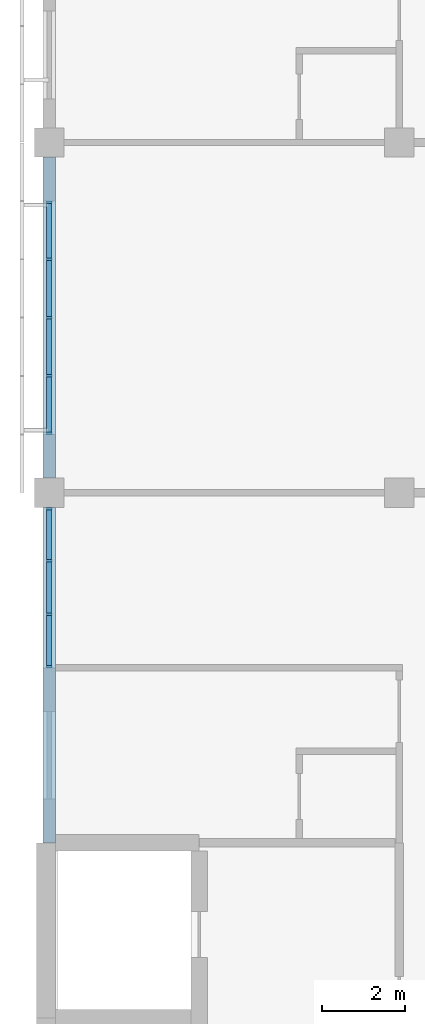
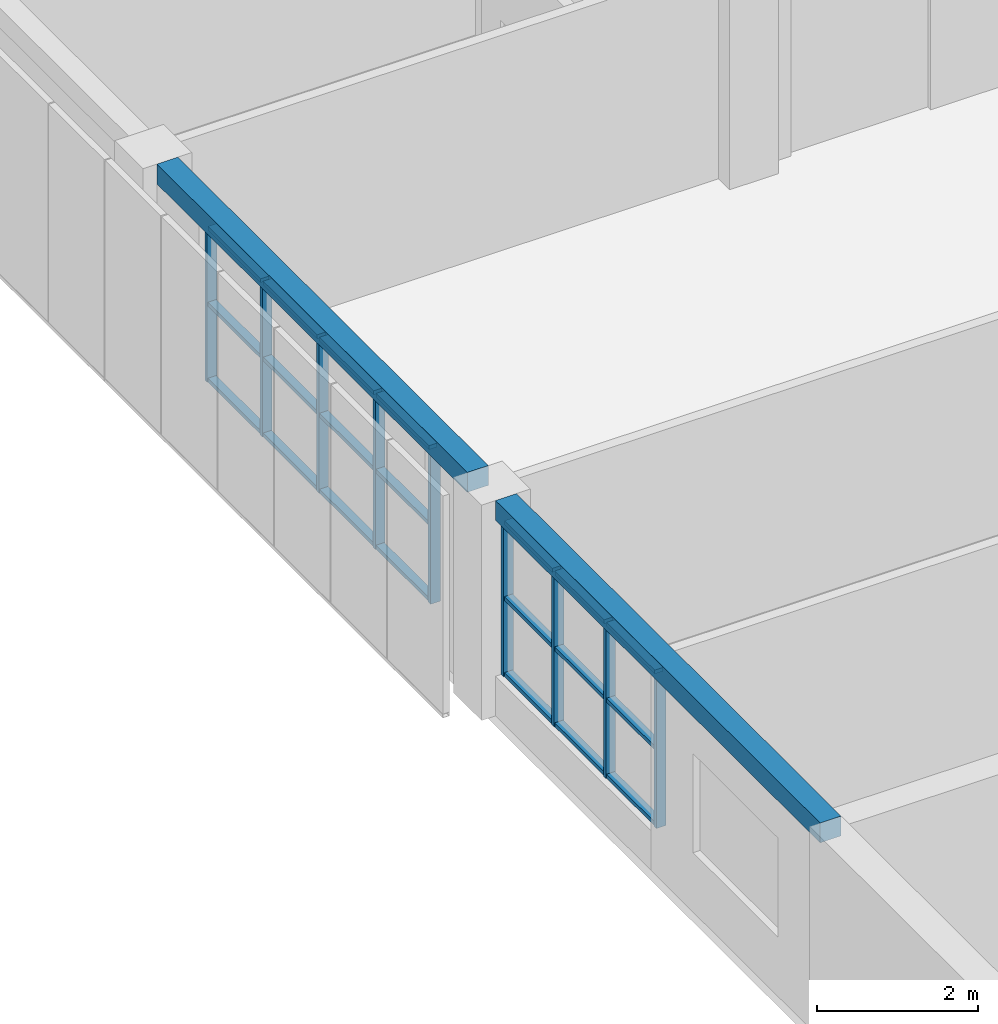
# One storey, part 15 of 61: 30 members, 2 beams, 2 elements without a shape of their own.
"""IFC4 building model written with IfcOpenShell, lengths in metres."""

from ifc_helpers import new_model, si_unit, direction, frame, origin, origin_2d, place, context, subcontext, project, spatial, rectangle, extrude, material, material_profile, profile_set, type_object, element, aggregate, save


model = new_model("IFC4")

# Units and contexts
model_context = context("Model", 3, precision=1e-05, world=origin(), true_north=direction((0.0, 1.0)))
body_context = subcontext(model_context, "Body", "Model", "MODEL_VIEW")
ifc_project = project(units=[si_unit("LENGTHUNIT", "METRE"), si_unit("AREAUNIT", "SQUARE_METRE"), si_unit("VOLUMEUNIT", "CUBIC_METRE"), si_unit("PLANEANGLEUNIT", "RADIAN"), si_unit("MASSUNIT", "GRAM", prefix="KILO")], contexts=[model_context])

# Site, building, storey
site_placement = place(None, origin())
site = spatial("IfcSite", under=ifc_project, at=site_placement, CompositionType="ELEMENT")
building_placement = place(site_placement, origin())
building = spatial("IfcBuilding", under=site, at=building_placement, Name="Yavir Park General Hospital", CompositionType="ELEMENT")
storey_placement = place(building_placement, frame((0.0, 0.0, 15.300048828125)))
storey = spatial("IfcBuildingStorey", under=building, at=storey_placement, Name="L03", CompositionType="ELEMENT", Elevation=15.300048828125)

# Curtain wall, members
ifc_material_1 = material(Name="Aluminium curtain wall frame with insulated glazing", Category="aluminium")
curtain_wall_type = type_object("IfcCurtainWallType", Name="Day room pocket glazing, ward floors, 2360 high, 1400 module", PredefinedType="NOTDEFINED", material=ifc_material_1)
curtain_wall_1_placement = place(storey_placement, origin())
curtain_wall_1 = element("IfcCurtainWall", 1, at=curtain_wall_1_placement, inside=storey, type_object=curtain_wall_type, Name="CW6 L03-019", PredefinedType="NOTDEFINED")
ifc_material_2 = material(Name="Aluminium", Category="aluminium")
ifc_material_profile_1 = material_profile(ifc_material_2, rectangle(XDim=0.139892578125, YDim=0.06005859375, at=origin_2d()), Name="AL 60x140")
ifc_profile_set_1 = profile_set([ifc_material_profile_1], Name="Aluminium")
member_type_1 = type_object("IfcMemberType", Name="Day room pocket glazing, ward floors, 2360 high mullion 60 x 140", PredefinedType="MULLION", material=ifc_profile_set_1)
member_1_placement = place(storey_placement, frame((0.0, 79.830078125, 0.599853515625), z_axis=(0.0, 0.0, 1.0), x_axis=(-1.0, 0.0, 0.0)))
member_1 = element("IfcMember", 2, at=member_1_placement, type_object=member_type_1, Name="CW6 mullion 1", PredefinedType="MULLION", context=body_context, shape_type="SweptSolid", body=[
    extrude(rectangle(XDim=0.139892578125, YDim=0.06005859375, at=origin_2d()), origin(), (0.0, 0.0, 1.0), 2.360107421875),
])
member_2_placement = place(storey_placement, frame((0.0, 81.083251953125, 0.599853515625), z_axis=(0.0, 0.0, 1.0), x_axis=(-1.0, 0.0, 0.0)))
member_2 = element("IfcMember", 3, at=member_2_placement, type_object=member_type_1, Name="CW6 mullion 2", PredefinedType="MULLION", context=body_context, shape_type="SweptSolid", body=[
    extrude(rectangle(XDim=0.139892578125, YDim=0.06005859375, at=origin_2d()), origin(), (0.0, 0.0, 1.0), 2.360107421875),
])
member_3_placement = place(storey_placement, frame((0.0, 82.36669921875, 0.599853515625), z_axis=(0.0, 0.0, 1.0), x_axis=(-1.0, 0.0, 0.0)))
member_3 = element("IfcMember", 4, at=member_3_placement, type_object=member_type_1, Name="CW6 mullion 3", PredefinedType="MULLION", context=body_context, shape_type="SweptSolid", body=[
    extrude(rectangle(XDim=0.139892578125, YDim=0.06005859375, at=origin_2d()), origin(), (0.0, 0.0, 1.0), 2.360107421875),
])
member_4_placement = place(storey_placement, frame((0.0, 83.6201171875, 0.599853515625), z_axis=(0.0, 0.0, 1.0), x_axis=(-1.0, 0.0, 0.0)))
member_4 = element("IfcMember", 5, at=member_4_placement, type_object=member_type_1, Name="CW6 mullion 4", PredefinedType="MULLION", context=body_context, shape_type="SweptSolid", body=[
    extrude(rectangle(XDim=0.139892578125, YDim=0.06005859375, at=origin_2d()), origin(), (0.0, 0.0, 1.0), 2.360107421875),
])

curtain_wall_2_placement = place(storey_placement, origin())
curtain_wall_2 = element("IfcCurtainWall", 6, at=curtain_wall_2_placement, inside=storey, type_object=curtain_wall_type, Name="CW6 L03-020", PredefinedType="NOTDEFINED")
member_5_placement = place(storey_placement, frame((0.0, 85.429931640625, 0.599853515625), z_axis=(0.0, 0.0, 1.0), x_axis=(-1.0, 0.0, 0.0)))
member_5 = element("IfcMember", 7, at=member_5_placement, type_object=member_type_1, Name="CW6 mullion 1", PredefinedType="MULLION", context=body_context, shape_type="SweptSolid", body=[
    extrude(rectangle(XDim=0.139892578125, YDim=0.06005859375, at=origin_2d()), origin(), (0.0, 0.0, 1.0), 2.360107421875),
])
member_6_placement = place(storey_placement, frame((0.0, 86.800048828125, 0.599853515625), z_axis=(0.0, 0.0, 1.0), x_axis=(-1.0, 0.0, 0.0)))
member_6 = element("IfcMember", 8, at=member_6_placement, type_object=member_type_1, Name="CW6 mullion 2", PredefinedType="MULLION", context=body_context, shape_type="SweptSolid", body=[
    extrude(rectangle(XDim=0.139892578125, YDim=0.06005859375, at=origin_2d()), origin(), (0.0, 0.0, 1.0), 2.360107421875),
])
member_7_placement = place(storey_placement, frame((0.0, 88.199951171875, 0.599853515625), z_axis=(0.0, 0.0, 1.0), x_axis=(-1.0, 0.0, 0.0)))
member_7 = element("IfcMember", 9, at=member_7_placement, type_object=member_type_1, Name="CW6 mullion 3", PredefinedType="MULLION", context=body_context, shape_type="SweptSolid", body=[
    extrude(rectangle(XDim=0.139892578125, YDim=0.06005859375, at=origin_2d()), origin(), (0.0, 0.0, 1.0), 2.360107421875),
])
member_8_placement = place(storey_placement, frame((0.0, 89.60009765625, 0.599853515625), z_axis=(0.0, 0.0, 1.0), x_axis=(-1.0, 0.0, 0.0)))
member_8 = element("IfcMember", 10, at=member_8_placement, type_object=member_type_1, Name="CW6 mullion 4", PredefinedType="MULLION", context=body_context, shape_type="SweptSolid", body=[
    extrude(rectangle(XDim=0.139892578125, YDim=0.06005859375, at=origin_2d()), origin(), (0.0, 0.0, 1.0), 2.360107421875),
])
member_9_placement = place(storey_placement, frame((0.0, 90.969970703125, 0.599853515625), z_axis=(0.0, 0.0, 1.0), x_axis=(-1.0, 0.0, 0.0)))
member_9 = element("IfcMember", 11, at=member_9_placement, type_object=member_type_1, Name="CW6 mullion 5", PredefinedType="MULLION", context=body_context, shape_type="SweptSolid", body=[
    extrude(rectangle(XDim=0.139892578125, YDim=0.06005859375, at=origin_2d()), origin(), (0.0, 0.0, 1.0), 2.360107421875),
])

# Member
ifc_material_3 = material(Name="Aluminium", Category="aluminium")
ifc_material_profile_2 = material_profile(ifc_material_3, rectangle(XDim=0.1201171875, YDim=0.06005859375, at=origin_2d()), Name="AL 120x60")
ifc_profile_set_2 = profile_set([ifc_material_profile_2], Name="Aluminium")
member_type_2 = type_object("IfcMemberType", Name="Day room pocket glazing, ward floors, 2360 high transom 60 x 120", PredefinedType="MULLION", material=ifc_profile_set_2)
member_10_placement = place(storey_placement, frame((0.0, 79.860107421875, 0.6298828125), z_axis=(0.0, 1.0, 0.0), x_axis=(-1.0, 0.0, 0.0)))
member_10 = element("IfcMember", 12, at=member_10_placement, type_object=member_type_2, Name="CW6 transom 1.1", PredefinedType="MULLION", context=body_context, shape_type="SweptSolid", body=[
    extrude(rectangle(XDim=0.1201171875, YDim=0.06005859375, at=origin_2d()), origin(), (0.0, 0.0, 1.0), 1.193115234375),
])

member_11_placement = place(storey_placement, frame((0.0, 79.860107421875, 1.780029296875), z_axis=(0.0, 1.0, 0.0), x_axis=(-1.0, 0.0, 0.0)))
member_11 = element("IfcMember", 13, at=member_11_placement, type_object=member_type_2, Name="CW6 transom 1.2", PredefinedType="MULLION", context=body_context, shape_type="SweptSolid", body=[
    extrude(rectangle(XDim=0.1201171875, YDim=0.06005859375, at=origin_2d()), origin(), (0.0, 0.0, 1.0), 1.193115234375),
])

member_12_placement = place(storey_placement, frame((0.0, 79.860107421875, 2.929931640625), z_axis=(0.0, 1.0, 0.0), x_axis=(-1.0, 0.0, 0.0)))
member_12 = element("IfcMember", 14, at=member_12_placement, type_object=member_type_2, Name="CW6 transom 1.3", PredefinedType="MULLION", context=body_context, shape_type="SweptSolid", body=[
    extrude(rectangle(XDim=0.1201171875, YDim=0.06005859375, at=origin_2d()), origin(), (0.0, 0.0, 1.0), 1.193115234375),
])

member_13_placement = place(storey_placement, frame((0.0, 81.11328125, 0.6298828125), z_axis=(0.0, 1.0, 0.0), x_axis=(-1.0, 0.0, 0.0)))
member_13 = element("IfcMember", 15, at=member_13_placement, type_object=member_type_2, Name="CW6 transom 2.1", PredefinedType="MULLION", context=body_context, shape_type="SweptSolid", body=[
    extrude(rectangle(XDim=0.1201171875, YDim=0.06005859375, at=origin_2d()), origin(), (0.0, 0.0, 1.0), 1.223388671875),
])

member_14_placement = place(storey_placement, frame((0.0, 81.11328125, 1.780029296875), z_axis=(0.0, 1.0, 0.0), x_axis=(-1.0, 0.0, 0.0)))
member_14 = element("IfcMember", 16, at=member_14_placement, type_object=member_type_2, Name="CW6 transom 2.2", PredefinedType="MULLION", context=body_context, shape_type="SweptSolid", body=[
    extrude(rectangle(XDim=0.1201171875, YDim=0.06005859375, at=origin_2d()), origin(), (0.0, 0.0, 1.0), 1.223388671875),
])

member_15_placement = place(storey_placement, frame((0.0, 81.11328125, 2.929931640625), z_axis=(0.0, 1.0, 0.0), x_axis=(-1.0, 0.0, 0.0)))
member_15 = element("IfcMember", 17, at=member_15_placement, type_object=member_type_2, Name="CW6 transom 2.3", PredefinedType="MULLION", context=body_context, shape_type="SweptSolid", body=[
    extrude(rectangle(XDim=0.1201171875, YDim=0.06005859375, at=origin_2d()), origin(), (0.0, 0.0, 1.0), 1.223388671875),
])

member_16_placement = place(storey_placement, frame((0.0, 82.396728515625, 0.6298828125), z_axis=(0.0, 1.0, 0.0), x_axis=(-1.0, 0.0, 0.0)))
member_16 = element("IfcMember", 18, at=member_16_placement, type_object=member_type_2, Name="CW6 transom 3.1", PredefinedType="MULLION", context=body_context, shape_type="SweptSolid", body=[
    extrude(rectangle(XDim=0.1201171875, YDim=0.06005859375, at=origin_2d()), origin(), (0.0, 0.0, 1.0), 1.193359375),
])

member_17_placement = place(storey_placement, frame((0.0, 82.396728515625, 1.780029296875), z_axis=(0.0, 1.0, 0.0), x_axis=(-1.0, 0.0, 0.0)))
member_17 = element("IfcMember", 19, at=member_17_placement, type_object=member_type_2, Name="CW6 transom 3.2", PredefinedType="MULLION", context=body_context, shape_type="SweptSolid", body=[
    extrude(rectangle(XDim=0.1201171875, YDim=0.06005859375, at=origin_2d()), origin(), (0.0, 0.0, 1.0), 1.193359375),
])

member_18_placement = place(storey_placement, frame((0.0, 82.396728515625, 2.929931640625), z_axis=(0.0, 1.0, 0.0), x_axis=(-1.0, 0.0, 0.0)))
member_18 = element("IfcMember", 20, at=member_18_placement, type_object=member_type_2, Name="CW6 transom 3.3", PredefinedType="MULLION", context=body_context, shape_type="SweptSolid", body=[
    extrude(rectangle(XDim=0.1201171875, YDim=0.06005859375, at=origin_2d()), origin(), (0.0, 0.0, 1.0), 1.193359375),
])

aggregate(curtain_wall_1, [member_1, member_2, member_3, member_4, member_10, member_11, member_12, member_13, member_14, member_15, member_16, member_17, member_18])

member_19_placement = place(storey_placement, frame((0.0, 85.4599609375, 0.6298828125), z_axis=(0.0, 1.0, 0.0), x_axis=(-1.0, 0.0, 0.0)))
member_19 = element("IfcMember", 21, at=member_19_placement, type_object=member_type_2, Name="CW6 transom 1.1", PredefinedType="MULLION", context=body_context, shape_type="SweptSolid", body=[
    extrude(rectangle(XDim=0.1201171875, YDim=0.06005859375, at=origin_2d()), origin(), (0.0, 0.0, 1.0), 1.31005859375),
])

member_20_placement = place(storey_placement, frame((0.0, 85.4599609375, 1.780029296875), z_axis=(0.0, 1.0, 0.0), x_axis=(-1.0, 0.0, 0.0)))
member_20 = element("IfcMember", 22, at=member_20_placement, type_object=member_type_2, Name="CW6 transom 1.2", PredefinedType="MULLION", context=body_context, shape_type="SweptSolid", body=[
    extrude(rectangle(XDim=0.1201171875, YDim=0.06005859375, at=origin_2d()), origin(), (0.0, 0.0, 1.0), 1.31005859375),
])

member_21_placement = place(storey_placement, frame((0.0, 85.4599609375, 2.929931640625), z_axis=(0.0, 1.0, 0.0), x_axis=(-1.0, 0.0, 0.0)))
member_21 = element("IfcMember", 23, at=member_21_placement, type_object=member_type_2, Name="CW6 transom 1.3", PredefinedType="MULLION", context=body_context, shape_type="SweptSolid", body=[
    extrude(rectangle(XDim=0.1201171875, YDim=0.06005859375, at=origin_2d()), origin(), (0.0, 0.0, 1.0), 1.31005859375),
])

member_22_placement = place(storey_placement, frame((0.0, 86.830078125, 0.6298828125), z_axis=(0.0, 1.0, 0.0), x_axis=(-1.0, 0.0, 0.0)))
member_22 = element("IfcMember", 24, at=member_22_placement, type_object=member_type_2, Name="CW6 transom 2.1", PredefinedType="MULLION", context=body_context, shape_type="SweptSolid", body=[
    extrude(rectangle(XDim=0.1201171875, YDim=0.06005859375, at=origin_2d()), origin(), (0.0, 0.0, 1.0), 1.33984375),
])

member_23_placement = place(storey_placement, frame((0.0, 86.830078125, 1.780029296875), z_axis=(0.0, 1.0, 0.0), x_axis=(-1.0, 0.0, 0.0)))
member_23 = element("IfcMember", 25, at=member_23_placement, type_object=member_type_2, Name="CW6 transom 2.2", PredefinedType="MULLION", context=body_context, shape_type="SweptSolid", body=[
    extrude(rectangle(XDim=0.1201171875, YDim=0.06005859375, at=origin_2d()), origin(), (0.0, 0.0, 1.0), 1.33984375),
])

member_24_placement = place(storey_placement, frame((0.0, 86.830078125, 2.929931640625), z_axis=(0.0, 1.0, 0.0), x_axis=(-1.0, 0.0, 0.0)))
member_24 = element("IfcMember", 26, at=member_24_placement, type_object=member_type_2, Name="CW6 transom 2.3", PredefinedType="MULLION", context=body_context, shape_type="SweptSolid", body=[
    extrude(rectangle(XDim=0.1201171875, YDim=0.06005859375, at=origin_2d()), origin(), (0.0, 0.0, 1.0), 1.33984375),
])

member_25_placement = place(storey_placement, frame((0.0, 88.22998046875, 0.6298828125), z_axis=(0.0, 1.0, 0.0), x_axis=(-1.0, 0.0, 0.0)))
member_25 = element("IfcMember", 27, at=member_25_placement, type_object=member_type_2, Name="CW6 transom 3.1", PredefinedType="MULLION", context=body_context, shape_type="SweptSolid", body=[
    extrude(rectangle(XDim=0.1201171875, YDim=0.06005859375, at=origin_2d()), origin(), (0.0, 0.0, 1.0), 1.340087890625),
])

member_26_placement = place(storey_placement, frame((0.0, 88.22998046875, 1.780029296875), z_axis=(0.0, 1.0, 0.0), x_axis=(-1.0, 0.0, 0.0)))
member_26 = element("IfcMember", 28, at=member_26_placement, type_object=member_type_2, Name="CW6 transom 3.2", PredefinedType="MULLION", context=body_context, shape_type="SweptSolid", body=[
    extrude(rectangle(XDim=0.1201171875, YDim=0.06005859375, at=origin_2d()), origin(), (0.0, 0.0, 1.0), 1.340087890625),
])

member_27_placement = place(storey_placement, frame((0.0, 88.22998046875, 2.929931640625), z_axis=(0.0, 1.0, 0.0), x_axis=(-1.0, 0.0, 0.0)))
member_27 = element("IfcMember", 29, at=member_27_placement, type_object=member_type_2, Name="CW6 transom 3.3", PredefinedType="MULLION", context=body_context, shape_type="SweptSolid", body=[
    extrude(rectangle(XDim=0.1201171875, YDim=0.06005859375, at=origin_2d()), origin(), (0.0, 0.0, 1.0), 1.340087890625),
])

member_28_placement = place(storey_placement, frame((0.0, 89.6298828125, 0.6298828125), z_axis=(0.0, 1.0, 0.0), x_axis=(-1.0, 0.0, 0.0)))
member_28 = element("IfcMember", 30, at=member_28_placement, type_object=member_type_2, Name="CW6 transom 4.1", PredefinedType="MULLION", context=body_context, shape_type="SweptSolid", body=[
    extrude(rectangle(XDim=0.1201171875, YDim=0.06005859375, at=origin_2d()), origin(), (0.0, 0.0, 1.0), 1.31005859375),
])

member_29_placement = place(storey_placement, frame((0.0, 89.6298828125, 1.780029296875), z_axis=(0.0, 1.0, 0.0), x_axis=(-1.0, 0.0, 0.0)))
member_29 = element("IfcMember", 31, at=member_29_placement, type_object=member_type_2, Name="CW6 transom 4.2", PredefinedType="MULLION", context=body_context, shape_type="SweptSolid", body=[
    extrude(rectangle(XDim=0.1201171875, YDim=0.06005859375, at=origin_2d()), origin(), (0.0, 0.0, 1.0), 1.31005859375),
])

member_30_placement = place(storey_placement, frame((0.0, 89.6298828125, 2.929931640625), z_axis=(0.0, 1.0, 0.0), x_axis=(-1.0, 0.0, 0.0)))
member_30 = element("IfcMember", 32, at=member_30_placement, type_object=member_type_2, Name="CW6 transom 4.3", PredefinedType="MULLION", context=body_context, shape_type="SweptSolid", body=[
    extrude(rectangle(XDim=0.1201171875, YDim=0.06005859375, at=origin_2d()), origin(), (0.0, 0.0, 1.0), 1.31005859375),
])

aggregate(curtain_wall_2, [member_5, member_6, member_7, member_8, member_9, member_19, member_20, member_21, member_22, member_23, member_24, member_25, member_26, member_27, member_28, member_29, member_30])

# Beams
ifc_material_4 = material(Name="Concrete C35/45", Category="concrete")
ifc_material_profile_3 = material_profile(ifc_material_4, rectangle(XDim=0.300048828125, YDim=0.300048828125, at=origin_2d()), Name="RC300x300")
ifc_profile_set_3 = profile_set([ifc_material_profile_3], Name="Concrete C35/45")
beam_type = type_object("IfcBeamType", Name="RC BEAM 300x300 edge beam", PredefinedType="BEAM", material=ifc_profile_set_3)
beam_1_placement = place(storey_placement, frame((0.0, 75.60009765625, 3.10986328125), z_axis=(0.0, 1.0, 0.0), x_axis=(-1.0, 0.0, 0.0)))
element("IfcBeam", 33, at=beam_1_placement, inside=storey, type_object=beam_type, Name="B:EDGE:L03:023", PredefinedType="BEAM", context=body_context, shape_type="SweptSolid", body=[
    extrude(rectangle(XDim=0.300048828125, YDim=0.300048828125, at=origin_2d()), origin(), (0.0, 0.0, 1.0), 8.0498046875),
])
beam_2_placement = place(storey_placement, frame((0.0, 84.35009765625, 3.10986328125), z_axis=(0.0, 1.0, 0.0), x_axis=(-1.0, 0.0, 0.0)))
element("IfcBeam", 34, at=beam_2_placement, inside=storey, type_object=beam_type, Name="B:EDGE:L03:024", PredefinedType="BEAM", context=body_context, shape_type="SweptSolid", body=[
    extrude(rectangle(XDim=0.300048828125, YDim=0.300048828125, at=origin_2d()), origin(), (0.0, 0.0, 1.0), 7.699951171875),
])

save(model, "model.ifc")
